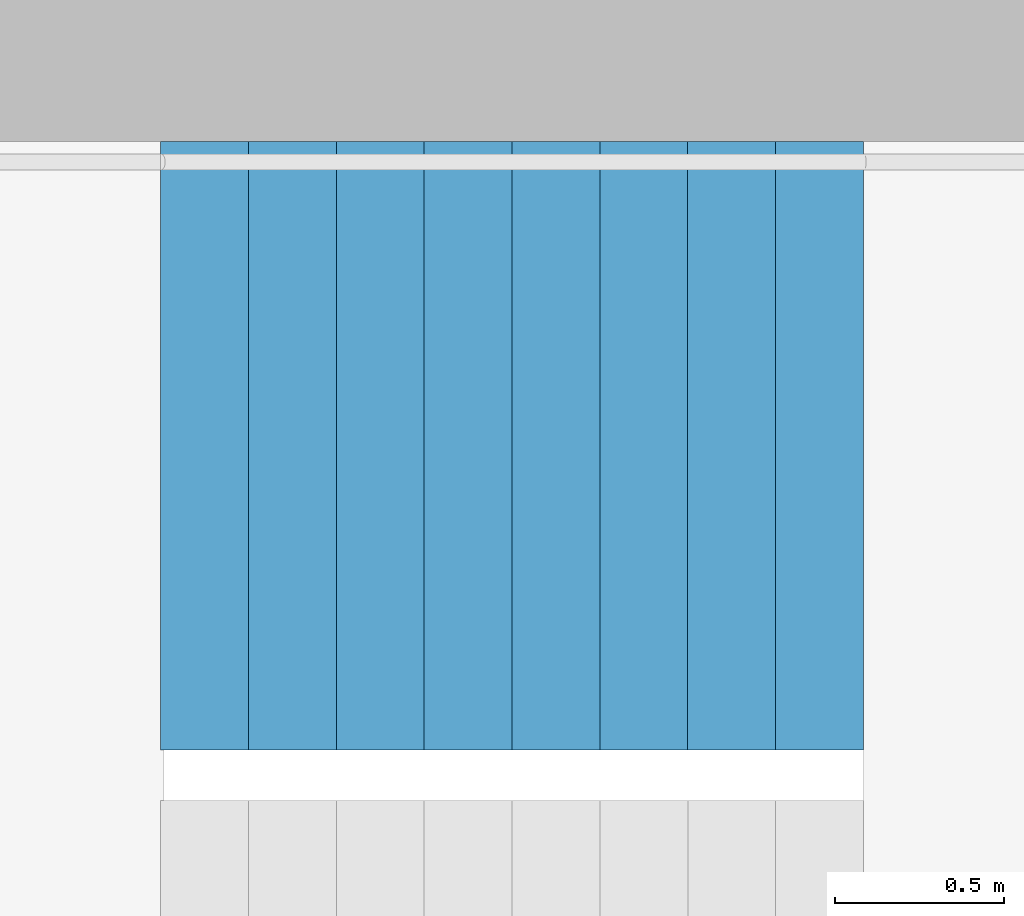
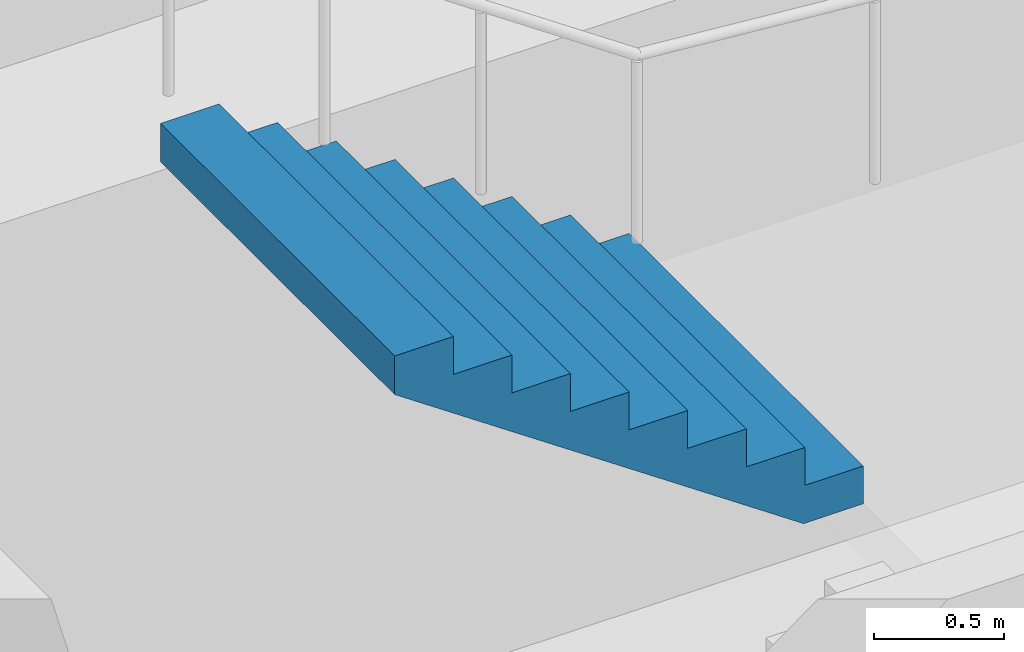
# One storey, part 24 of 29: 1 stair flight, 1 element without a shape of its own.
"""IFC4 building model written with IfcOpenShell, lengths in metres."""

from ifc_helpers import new_model, si_unit, direction, frame, origin, place, context, subcontext, project, spatial, triangles, material, type_object, element, aggregate, save


model = new_model("IFC4")

# Units and contexts
model_context = context("Model", 3, precision=1e-05, world=origin(), true_north=direction((0.0, 1.0)))
body_context = subcontext(model_context, "Body", "Model", "MODEL_VIEW")
ifc_project = project(units=[si_unit("LENGTHUNIT", "METRE"), si_unit("AREAUNIT", "SQUARE_METRE"), si_unit("VOLUMEUNIT", "CUBIC_METRE"), si_unit("PLANEANGLEUNIT", "RADIAN"), si_unit("MASSUNIT", "GRAM", prefix="KILO")], contexts=[model_context])

# Site, building, storey
site_placement = place(None, origin())
site = spatial("IfcSite", under=ifc_project, at=site_placement, CompositionType="ELEMENT")
building_placement = place(site_placement, origin())
building = spatial("IfcBuilding", under=site, at=building_placement, Name="Hakoniwa Tower and Hamabe Station Hall", CompositionType="ELEMENT")
storey_placement = place(building_placement, frame((0.0, 0.0, 88.199951171875)))
storey = spatial("IfcBuildingStorey", under=building, at=storey_placement, Name="L24", CompositionType="ELEMENT", Elevation=88.199951171875)

# Stair, stair flight
ifc_material_1 = material(Name="Concrete C40", Category="concrete")
stair_type = type_object("IfcStairType", Name="ESCAPE STAIR 1800", PredefinedType="HALF_TURN_STAIR", material=ifc_material_1)
stair_placement = place(storey_placement, origin())
stair = element("IfcStair", 1, at=stair_placement, inside=storey, type_object=stair_type, Name="Escape stair ST-1 L24", PredefinedType="HALF_TURN_STAIR")
ifc_material_2 = material(Name="Concrete C40", Category="concrete")
stair_flight_type = type_object("IfcStairFlightType", Name="STAIR FLIGHT 1800", PredefinedType="STRAIGHT", material=ifc_material_2)
stair_flight_placement = place(storey_placement, frame((-22.320068359375, 6.60009765625, 1.60009765625), z_axis=(0.0, 0.0, 1.0), x_axis=(-1.0, 0.0, 0.0)))
stair_flight = element("IfcStairFlight", 2, at=stair_flight_placement, type_object=stair_flight_type, Name="ST-1 flight 2", NumberOfRisers=9, NumberOfTreads=8, PredefinedType="STRAIGHT", RiserHeight=0.177777778, TreadLength=0.26, context=body_context, shape_type="Tessellation", body=[
    triangles([(0.0, 0.89990234375, 0.0), (0.260009765625, 0.89990234375, 0.0), (0.265625, 0.89990234375, 0.0), (0.52001953125, 0.89990234375, 0.174072265625), (0.780029296875, 0.89990234375, 0.351806640625), (1.0400390625, 0.89990234375, 0.529541015625), (1.300048828125, 0.89990234375, 0.707275390625), (1.56005859375, 0.89990234375, 0.885009765625), (1.820068359375, 0.89990234375, 1.062744140625), (2.080078125, 0.89990234375, 1.24072265625), (2.080078125, 0.89990234375, 1.422119140625), (1.820068359375, 0.89990234375, 1.422119140625), (1.820068359375, 0.89990234375, 1.244384765625), (1.56005859375, 0.89990234375, 1.244384765625), (1.56005859375, 0.89990234375, 1.066650390625), (1.300048828125, 0.89990234375, 1.066650390625), (1.300048828125, 0.89990234375, 0.888916015625), (1.0400390625, 0.89990234375, 0.888916015625), (1.0400390625, 0.89990234375, 0.711181640625), (0.780029296875, 0.89990234375, 0.711181640625), (0.780029296875, 0.89990234375, 0.533447265625), (0.52001953125, 0.89990234375, 0.533447265625), (0.52001953125, 0.89990234375, 0.35546875), (0.265625, 0.89990234375, 0.35546875), (0.260009765625, 0.89990234375, 0.35546875), (0.260009765625, 0.89990234375, 0.177734375), (0.0, 0.89990234375, 0.177734375), (0.0, 0.06005859375, 0.0), (0.260009765625, 0.06005859375, 0.0), (0.265625, 0.06005859375, 0.0), (0.52001953125, 0.06005859375, 0.174072265625), (0.780029296875, 0.06005859375, 0.351806640625), (1.0400390625, 0.06005859375, 0.529541015625), (1.300048828125, 0.06005859375, 0.707275390625), (1.56005859375, 0.06005859375, 0.885009765625), (1.820068359375, 0.06005859375, 1.062744140625), (2.080078125, 0.06005859375, 1.24072265625), (2.080078125, 0.06005859375, 1.422119140625), (1.820068359375, 0.06005859375, 1.422119140625), (1.820068359375, 0.06005859375, 1.244384765625), (1.56005859375, 0.06005859375, 1.244384765625), (1.56005859375, 0.06005859375, 1.066650390625), (1.300048828125, 0.06005859375, 1.066650390625), (1.300048828125, 0.06005859375, 0.888916015625), (1.0400390625, 0.06005859375, 0.888916015625), (1.0400390625, 0.06005859375, 0.711181640625), (0.780029296875, 0.06005859375, 0.711181640625), (0.780029296875, 0.06005859375, 0.533447265625), (0.52001953125, 0.06005859375, 0.533447265625), (0.52001953125, 0.06005859375, 0.35546875), (0.265625, 0.06005859375, 0.35546875), (0.260009765625, 0.06005859375, 0.35546875), (0.260009765625, 0.06005859375, 0.177734375), (0.0, 0.06005859375, 0.177734375), (0.0, 0.04296875, 0.0), (0.260009765625, 0.04296875, 0.0), (0.265625, 0.04296875, 0.0), (0.52001953125, 0.04296875, 0.174072265625), (0.780029296875, 0.04296875, 0.351806640625), (1.0400390625, 0.04296875, 0.529541015625), (1.300048828125, 0.04296875, 0.707275390625), (1.56005859375, 0.04296875, 0.885009765625), (1.820068359375, 0.04296875, 1.062744140625), (2.080078125, 0.04296875, 1.24072265625), (2.080078125, 0.04296875, 1.422119140625), (1.820068359375, 0.04296875, 1.422119140625), (1.820068359375, 0.04296875, 1.244384765625), (1.56005859375, 0.04296875, 1.244384765625), (1.56005859375, 0.04296875, 1.066650390625), (1.300048828125, 0.04296875, 1.066650390625), (1.300048828125, 0.04296875, 0.888916015625), (1.0400390625, 0.04296875, 0.888916015625), (1.0400390625, 0.04296875, 0.711181640625), (0.780029296875, 0.04296875, 0.711181640625), (0.780029296875, 0.04296875, 0.533447265625), (0.52001953125, 0.04296875, 0.533447265625), (0.52001953125, 0.04296875, 0.35546875), (0.265625, 0.04296875, 0.35546875), (0.260009765625, 0.04296875, 0.35546875), (0.260009765625, 0.04296875, 0.177734375), (0.0, 0.04296875, 0.177734375), (0.0, 0.025634765625, 0.0), (0.260009765625, 0.025634765625, 0.0), (0.265625, 0.025634765625, 0.0), (0.52001953125, 0.025634765625, 0.174072265625), (0.780029296875, 0.025634765625, 0.351806640625), (1.0400390625, 0.025634765625, 0.529541015625), (1.300048828125, 0.025634765625, 0.707275390625), (1.56005859375, 0.025634765625, 0.885009765625), (1.820068359375, 0.025634765625, 1.062744140625), (2.080078125, 0.025634765625, 1.24072265625), (2.080078125, 0.025634765625, 1.422119140625), (1.820068359375, 0.025634765625, 1.422119140625), (1.820068359375, 0.025634765625, 1.244384765625), (1.56005859375, 0.025634765625, 1.244384765625), (1.56005859375, 0.025634765625, 1.066650390625), (1.300048828125, 0.025634765625, 1.066650390625), (1.300048828125, 0.025634765625, 0.888916015625), (1.0400390625, 0.025634765625, 0.888916015625), (1.0400390625, 0.025634765625, 0.711181640625), (0.780029296875, 0.025634765625, 0.711181640625), (0.780029296875, 0.025634765625, 0.533447265625), (0.52001953125, 0.025634765625, 0.533447265625), (0.52001953125, 0.025634765625, 0.35546875), (0.265625, 0.025634765625, 0.35546875), (0.260009765625, 0.025634765625, 0.35546875), (0.260009765625, 0.025634765625, 0.177734375), (0.0, 0.025634765625, 0.177734375), (0.0, 0.008544921875, 0.0), (0.260009765625, 0.008544921875, 0.0), (0.265625, 0.008544921875, 0.0), (0.52001953125, 0.008544921875, 0.174072265625), (0.780029296875, 0.008544921875, 0.351806640625), (1.0400390625, 0.008544921875, 0.529541015625), (1.300048828125, 0.008544921875, 0.707275390625), (1.56005859375, 0.008544921875, 0.885009765625), (1.820068359375, 0.008544921875, 1.062744140625), (2.080078125, 0.008544921875, 1.24072265625), (2.080078125, 0.008544921875, 1.422119140625), (1.820068359375, 0.008544921875, 1.422119140625), (1.820068359375, 0.008544921875, 1.244384765625), (1.56005859375, 0.008544921875, 1.244384765625), (1.56005859375, 0.008544921875, 1.066650390625), (1.300048828125, 0.008544921875, 1.066650390625), (1.300048828125, 0.008544921875, 0.888916015625), (1.0400390625, 0.008544921875, 0.888916015625), (1.0400390625, 0.008544921875, 0.711181640625), (0.780029296875, 0.008544921875, 0.711181640625), (0.780029296875, 0.008544921875, 0.533447265625), (0.52001953125, 0.008544921875, 0.533447265625), (0.52001953125, 0.008544921875, 0.35546875), (0.265625, 0.008544921875, 0.35546875), (0.260009765625, 0.008544921875, 0.35546875), (0.260009765625, 0.008544921875, 0.177734375), (0.0, 0.008544921875, 0.177734375), (0.0, -0.008544921875, 0.0), (0.260009765625, -0.008544921875, 0.0), (0.265625, -0.008544921875, 0.0), (0.52001953125, -0.008544921875, 0.174072265625), (0.780029296875, -0.008544921875, 0.351806640625), (1.0400390625, -0.008544921875, 0.529541015625), (1.300048828125, -0.008544921875, 0.707275390625), (1.56005859375, -0.008544921875, 0.885009765625), (1.820068359375, -0.008544921875, 1.062744140625), (2.080078125, -0.008544921875, 1.24072265625), (2.080078125, -0.008544921875, 1.422119140625), (1.820068359375, -0.008544921875, 1.422119140625), (1.820068359375, -0.008544921875, 1.244384765625), (1.56005859375, -0.008544921875, 1.244384765625), (1.56005859375, -0.008544921875, 1.066650390625), (1.300048828125, -0.008544921875, 1.066650390625), (1.300048828125, -0.008544921875, 0.888916015625), (1.0400390625, -0.008544921875, 0.888916015625), (1.0400390625, -0.008544921875, 0.711181640625), (0.780029296875, -0.008544921875, 0.711181640625), (0.780029296875, -0.008544921875, 0.533447265625), (0.52001953125, -0.008544921875, 0.533447265625), (0.52001953125, -0.008544921875, 0.35546875), (0.265625, -0.008544921875, 0.35546875), (0.260009765625, -0.008544921875, 0.35546875), (0.260009765625, -0.008544921875, 0.177734375), (0.0, -0.008544921875, 0.177734375), (0.0, -0.025634765625, 0.0), (0.260009765625, -0.025634765625, 0.0), (0.265625, -0.025634765625, 0.0), (0.52001953125, -0.025634765625, 0.174072265625), (0.780029296875, -0.025634765625, 0.351806640625), (1.0400390625, -0.025634765625, 0.529541015625), (1.300048828125, -0.025634765625, 0.707275390625), (1.56005859375, -0.025634765625, 0.885009765625), (1.820068359375, -0.025634765625, 1.062744140625), (2.080078125, -0.025634765625, 1.24072265625), (2.080078125, -0.025634765625, 1.422119140625), (1.820068359375, -0.025634765625, 1.422119140625), (1.820068359375, -0.025634765625, 1.244384765625), (1.56005859375, -0.025634765625, 1.244384765625), (1.56005859375, -0.025634765625, 1.066650390625), (1.300048828125, -0.025634765625, 1.066650390625), (1.300048828125, -0.025634765625, 0.888916015625), (1.0400390625, -0.025634765625, 0.888916015625), (1.0400390625, -0.025634765625, 0.711181640625), (0.780029296875, -0.025634765625, 0.711181640625), (0.780029296875, -0.025634765625, 0.533447265625), (0.52001953125, -0.025634765625, 0.533447265625), (0.52001953125, -0.025634765625, 0.35546875), (0.265625, -0.025634765625, 0.35546875), (0.260009765625, -0.025634765625, 0.35546875), (0.260009765625, -0.025634765625, 0.177734375), (0.0, -0.025634765625, 0.177734375), (0.0, -0.04296875, 0.0), (0.260009765625, -0.04296875, 0.0), (0.265625, -0.04296875, 0.0), (0.52001953125, -0.04296875, 0.174072265625), (0.780029296875, -0.04296875, 0.351806640625), (1.0400390625, -0.04296875, 0.529541015625), (1.300048828125, -0.04296875, 0.707275390625), (1.56005859375, -0.04296875, 0.885009765625), (1.820068359375, -0.04296875, 1.062744140625), (2.080078125, -0.04296875, 1.24072265625), (2.080078125, -0.04296875, 1.422119140625), (1.820068359375, -0.04296875, 1.422119140625), (1.820068359375, -0.04296875, 1.244384765625), (1.56005859375, -0.04296875, 1.244384765625), (1.56005859375, -0.04296875, 1.066650390625), (1.300048828125, -0.04296875, 1.066650390625), (1.300048828125, -0.04296875, 0.888916015625), (1.0400390625, -0.04296875, 0.888916015625), (1.0400390625, -0.04296875, 0.711181640625), (0.780029296875, -0.04296875, 0.711181640625), (0.780029296875, -0.04296875, 0.533447265625), (0.52001953125, -0.04296875, 0.533447265625), (0.52001953125, -0.04296875, 0.35546875), (0.265625, -0.04296875, 0.35546875), (0.260009765625, -0.04296875, 0.35546875), (0.260009765625, -0.04296875, 0.177734375), (0.0, -0.04296875, 0.177734375), (0.0, -0.06005859375, 0.0), (0.260009765625, -0.06005859375, 0.0), (0.265625, -0.06005859375, 0.0), (0.52001953125, -0.06005859375, 0.174072265625), (0.780029296875, -0.06005859375, 0.351806640625), (1.0400390625, -0.06005859375, 0.529541015625), (1.300048828125, -0.06005859375, 0.707275390625), (1.56005859375, -0.06005859375, 0.885009765625), (1.820068359375, -0.06005859375, 1.062744140625), (2.080078125, -0.06005859375, 1.24072265625), (2.080078125, -0.06005859375, 1.422119140625), (1.820068359375, -0.06005859375, 1.422119140625), (1.820068359375, -0.06005859375, 1.244384765625), (1.56005859375, -0.06005859375, 1.244384765625), (1.56005859375, -0.06005859375, 1.066650390625), (1.300048828125, -0.06005859375, 1.066650390625), (1.300048828125, -0.06005859375, 0.888916015625), (1.0400390625, -0.06005859375, 0.888916015625), (1.0400390625, -0.06005859375, 0.711181640625), (0.780029296875, -0.06005859375, 0.711181640625), (0.780029296875, -0.06005859375, 0.533447265625), (0.52001953125, -0.06005859375, 0.533447265625), (0.52001953125, -0.06005859375, 0.35546875), (0.265625, -0.06005859375, 0.35546875), (0.260009765625, -0.06005859375, 0.35546875), (0.260009765625, -0.06005859375, 0.177734375), (0.0, -0.06005859375, 0.177734375), (0.0, -0.89990234375, 0.0), (0.260009765625, -0.89990234375, 0.0), (0.265625, -0.89990234375, 0.0), (0.52001953125, -0.89990234375, 0.174072265625), (0.780029296875, -0.89990234375, 0.351806640625), (1.0400390625, -0.89990234375, 0.529541015625), (1.300048828125, -0.89990234375, 0.707275390625), (1.56005859375, -0.89990234375, 0.885009765625), (1.820068359375, -0.89990234375, 1.062744140625), (2.080078125, -0.89990234375, 1.24072265625), (2.080078125, -0.89990234375, 1.422119140625), (1.820068359375, -0.89990234375, 1.422119140625), (1.820068359375, -0.89990234375, 1.244384765625), (1.56005859375, -0.89990234375, 1.244384765625), (1.56005859375, -0.89990234375, 1.066650390625), (1.300048828125, -0.89990234375, 1.066650390625), (1.300048828125, -0.89990234375, 0.888916015625), (1.0400390625, -0.89990234375, 0.888916015625), (1.0400390625, -0.89990234375, 0.711181640625), (0.780029296875, -0.89990234375, 0.711181640625), (0.780029296875, -0.89990234375, 0.533447265625), (0.52001953125, -0.89990234375, 0.533447265625), (0.52001953125, -0.89990234375, 0.35546875), (0.265625, -0.89990234375, 0.35546875), (0.260009765625, -0.89990234375, 0.35546875), (0.260009765625, -0.89990234375, 0.177734375), (0.0, -0.89990234375, 0.177734375)], [[2, 27, 26], [245, 269, 270], [2, 1, 27], [245, 270, 244], [3, 25, 24], [246, 267, 268], [3, 26, 25], [246, 268, 269], [3, 2, 26], [246, 269, 245], [4, 24, 23], [247, 266, 267], [4, 3, 24], [247, 267, 246], [5, 22, 21], [248, 264, 265], [5, 23, 22], [248, 265, 266], [5, 4, 23], [248, 266, 247], [6, 20, 19], [249, 262, 263], [6, 21, 20], [249, 263, 264], [6, 5, 21], [249, 264, 248], [7, 18, 17], [250, 260, 261], [7, 19, 18], [250, 261, 262], [7, 6, 19], [250, 262, 249], [8, 16, 15], [251, 258, 259], [8, 17, 16], [251, 259, 260], [8, 7, 17], [251, 260, 250], [9, 14, 13], [252, 256, 257], [9, 15, 14], [252, 257, 258], [9, 8, 15], [252, 258, 251], [10, 12, 11], [253, 254, 255], [10, 13, 12], [253, 255, 256], [10, 9, 13], [253, 256, 252], [1, 2, 29], [1, 29, 28], [28, 29, 56], [28, 56, 55], [55, 56, 83], [55, 83, 82], [82, 83, 110], [82, 110, 109], [109, 110, 137], [109, 137, 136], [136, 137, 164], [136, 164, 163], [163, 164, 191], [163, 191, 190], [190, 191, 218], [190, 218, 217], [217, 218, 245], [217, 245, 244], [2, 3, 30], [2, 30, 29], [29, 30, 57], [29, 57, 56], [56, 57, 84], [56, 84, 83], [83, 84, 111], [83, 111, 110], [110, 111, 138], [110, 138, 137], [137, 138, 165], [137, 165, 164], [164, 165, 192], [164, 192, 191], [191, 192, 219], [191, 219, 218], [218, 219, 246], [218, 246, 245], [3, 4, 31], [3, 31, 30], [30, 31, 58], [30, 58, 57], [57, 58, 85], [57, 85, 84], [84, 85, 112], [84, 112, 111], [111, 112, 139], [111, 139, 138], [138, 139, 166], [138, 166, 165], [165, 166, 193], [165, 193, 192], [192, 193, 220], [192, 220, 219], [219, 220, 247], [219, 247, 246], [4, 5, 32], [4, 32, 31], [31, 32, 59], [31, 59, 58], [58, 59, 86], [58, 86, 85], [85, 86, 113], [85, 113, 112], [112, 113, 140], [112, 140, 139], [139, 140, 167], [139, 167, 166], [166, 167, 194], [166, 194, 193], [193, 194, 221], [193, 221, 220], [220, 221, 248], [220, 248, 247], [5, 6, 33], [5, 33, 32], [32, 33, 60], [32, 60, 59], [59, 60, 87], [59, 87, 86], [86, 87, 114], [86, 114, 113], [113, 114, 141], [113, 141, 140], [140, 141, 168], [140, 168, 167], [167, 168, 195], [167, 195, 194], [194, 195, 222], [194, 222, 221], [221, 222, 249], [221, 249, 248], [6, 7, 34], [6, 34, 33], [33, 34, 61], [33, 61, 60], [60, 61, 88], [60, 88, 87], [87, 88, 115], [87, 115, 114], [114, 115, 142], [114, 142, 141], [141, 142, 169], [141, 169, 168], [168, 169, 196], [168, 196, 195], [195, 196, 223], [195, 223, 222], [222, 223, 250], [222, 250, 249], [7, 8, 35], [7, 35, 34], [34, 35, 62], [34, 62, 61], [61, 62, 89], [61, 89, 88], [88, 89, 116], [88, 116, 115], [115, 116, 143], [115, 143, 142], [142, 143, 170], [142, 170, 169], [169, 170, 197], [169, 197, 196], [196, 197, 224], [196, 224, 223], [223, 224, 251], [223, 251, 250], [8, 9, 36], [8, 36, 35], [35, 36, 63], [35, 63, 62], [62, 63, 90], [62, 90, 89], [89, 90, 117], [89, 117, 116], [116, 117, 144], [116, 144, 143], [143, 144, 171], [143, 171, 170], [170, 171, 198], [170, 198, 197], [197, 198, 225], [197, 225, 224], [224, 225, 252], [224, 252, 251], [9, 10, 37], [9, 37, 36], [36, 37, 64], [36, 64, 63], [63, 64, 91], [63, 91, 90], [90, 91, 118], [90, 118, 117], [117, 118, 145], [117, 145, 144], [144, 145, 172], [144, 172, 171], [171, 172, 199], [171, 199, 198], [198, 199, 226], [198, 226, 225], [225, 226, 253], [225, 253, 252], [10, 11, 38], [10, 38, 37], [37, 38, 65], [37, 65, 64], [64, 65, 92], [64, 92, 91], [91, 92, 119], [91, 119, 118], [118, 119, 146], [118, 146, 145], [145, 146, 173], [145, 173, 172], [172, 173, 200], [172, 200, 199], [199, 200, 227], [199, 227, 226], [226, 227, 254], [226, 254, 253], [11, 12, 39], [11, 39, 38], [38, 39, 66], [38, 66, 65], [65, 66, 93], [65, 93, 92], [92, 93, 120], [92, 120, 119], [119, 120, 147], [119, 147, 146], [146, 147, 174], [146, 174, 173], [173, 174, 201], [173, 201, 200], [200, 201, 228], [200, 228, 227], [227, 228, 255], [227, 255, 254], [12, 13, 40], [12, 40, 39], [39, 40, 67], [39, 67, 66], [66, 67, 94], [66, 94, 93], [93, 94, 121], [93, 121, 120], [120, 121, 148], [120, 148, 147], [147, 148, 175], [147, 175, 174], [174, 175, 202], [174, 202, 201], [201, 202, 229], [201, 229, 228], [228, 229, 256], [228, 256, 255], [13, 14, 41], [13, 41, 40], [40, 41, 68], [40, 68, 67], [67, 68, 95], [67, 95, 94], [94, 95, 122], [94, 122, 121], [121, 122, 149], [121, 149, 148], [148, 149, 176], [148, 176, 175], [175, 176, 203], [175, 203, 202], [202, 203, 230], [202, 230, 229], [229, 230, 257], [229, 257, 256], [14, 15, 42], [14, 42, 41], [41, 42, 69], [41, 69, 68], [68, 69, 96], [68, 96, 95], [95, 96, 123], [95, 123, 122], [122, 123, 150], [122, 150, 149], [149, 150, 177], [149, 177, 176], [176, 177, 204], [176, 204, 203], [203, 204, 231], [203, 231, 230], [230, 231, 258], [230, 258, 257], [15, 16, 43], [15, 43, 42], [42, 43, 70], [42, 70, 69], [69, 70, 97], [69, 97, 96], [96, 97, 124], [96, 124, 123], [123, 124, 151], [123, 151, 150], [150, 151, 178], [150, 178, 177], [177, 178, 205], [177, 205, 204], [204, 205, 232], [204, 232, 231], [231, 232, 259], [231, 259, 258], [16, 17, 44], [16, 44, 43], [43, 44, 71], [43, 71, 70], [70, 71, 98], [70, 98, 97], [97, 98, 125], [97, 125, 124], [124, 125, 152], [124, 152, 151], [151, 152, 179], [151, 179, 178], [178, 179, 206], [178, 206, 205], [205, 206, 233], [205, 233, 232], [232, 233, 260], [232, 260, 259], [17, 18, 45], [17, 45, 44], [44, 45, 72], [44, 72, 71], [71, 72, 99], [71, 99, 98], [98, 99, 126], [98, 126, 125], [125, 126, 153], [125, 153, 152], [152, 153, 180], [152, 180, 179], [179, 180, 207], [179, 207, 206], [206, 207, 234], [206, 234, 233], [233, 234, 261], [233, 261, 260], [18, 19, 46], [18, 46, 45], [45, 46, 73], [45, 73, 72], [72, 73, 100], [72, 100, 99], [99, 100, 127], [99, 127, 126], [126, 127, 154], [126, 154, 153], [153, 154, 181], [153, 181, 180], [180, 181, 208], [180, 208, 207], [207, 208, 235], [207, 235, 234], [234, 235, 262], [234, 262, 261], [19, 20, 47], [19, 47, 46], [46, 47, 74], [46, 74, 73], [73, 74, 101], [73, 101, 100], [100, 101, 128], [100, 128, 127], [127, 128, 155], [127, 155, 154], [154, 155, 182], [154, 182, 181], [181, 182, 209], [181, 209, 208], [208, 209, 236], [208, 236, 235], [235, 236, 263], [235, 263, 262], [20, 21, 48], [20, 48, 47], [47, 48, 75], [47, 75, 74], [74, 75, 102], [74, 102, 101], [101, 102, 129], [101, 129, 128], [128, 129, 156], [128, 156, 155], [155, 156, 183], [155, 183, 182], [182, 183, 210], [182, 210, 209], [209, 210, 237], [209, 237, 236], [236, 237, 264], [236, 264, 263], [21, 22, 49], [21, 49, 48], [48, 49, 76], [48, 76, 75], [75, 76, 103], [75, 103, 102], [102, 103, 130], [102, 130, 129], [129, 130, 157], [129, 157, 156], [156, 157, 184], [156, 184, 183], [183, 184, 211], [183, 211, 210], [210, 211, 238], [210, 238, 237], [237, 238, 265], [237, 265, 264], [22, 23, 50], [22, 50, 49], [49, 50, 77], [49, 77, 76], [76, 77, 104], [76, 104, 103], [103, 104, 131], [103, 131, 130], [130, 131, 158], [130, 158, 157], [157, 158, 185], [157, 185, 184], [184, 185, 212], [184, 212, 211], [211, 212, 239], [211, 239, 238], [238, 239, 266], [238, 266, 265], [23, 24, 51], [23, 51, 50], [50, 51, 78], [50, 78, 77], [77, 78, 105], [77, 105, 104], [104, 105, 132], [104, 132, 131], [131, 132, 159], [131, 159, 158], [158, 159, 186], [158, 186, 185], [185, 186, 213], [185, 213, 212], [212, 213, 240], [212, 240, 239], [239, 240, 267], [239, 267, 266], [24, 25, 52], [24, 52, 51], [51, 52, 79], [51, 79, 78], [78, 79, 106], [78, 106, 105], [105, 106, 133], [105, 133, 132], [132, 133, 160], [132, 160, 159], [159, 160, 187], [159, 187, 186], [186, 187, 214], [186, 214, 213], [213, 214, 241], [213, 241, 240], [240, 241, 268], [240, 268, 267], [25, 26, 53], [25, 53, 52], [52, 53, 80], [52, 80, 79], [79, 80, 107], [79, 107, 106], [106, 107, 134], [106, 134, 133], [133, 134, 161], [133, 161, 160], [160, 161, 188], [160, 188, 187], [187, 188, 215], [187, 215, 214], [214, 215, 242], [214, 242, 241], [241, 242, 269], [241, 269, 268], [26, 27, 54], [26, 54, 53], [53, 54, 81], [53, 81, 80], [80, 81, 108], [80, 108, 107], [107, 108, 135], [107, 135, 134], [134, 135, 162], [134, 162, 161], [161, 162, 189], [161, 189, 188], [188, 189, 216], [188, 216, 215], [215, 216, 243], [215, 243, 242], [242, 243, 270], [242, 270, 269], [27, 1, 28], [27, 28, 54], [54, 28, 55], [54, 55, 81], [81, 55, 82], [81, 82, 108], [108, 82, 109], [108, 109, 135], [135, 109, 136], [135, 136, 162], [162, 136, 163], [162, 163, 189], [189, 163, 190], [189, 190, 216], [216, 190, 217], [216, 217, 243], [243, 217, 244], [243, 244, 270]], closed=True),
])
aggregate(stair, [stair_flight])

save(model, "model.ifc")
